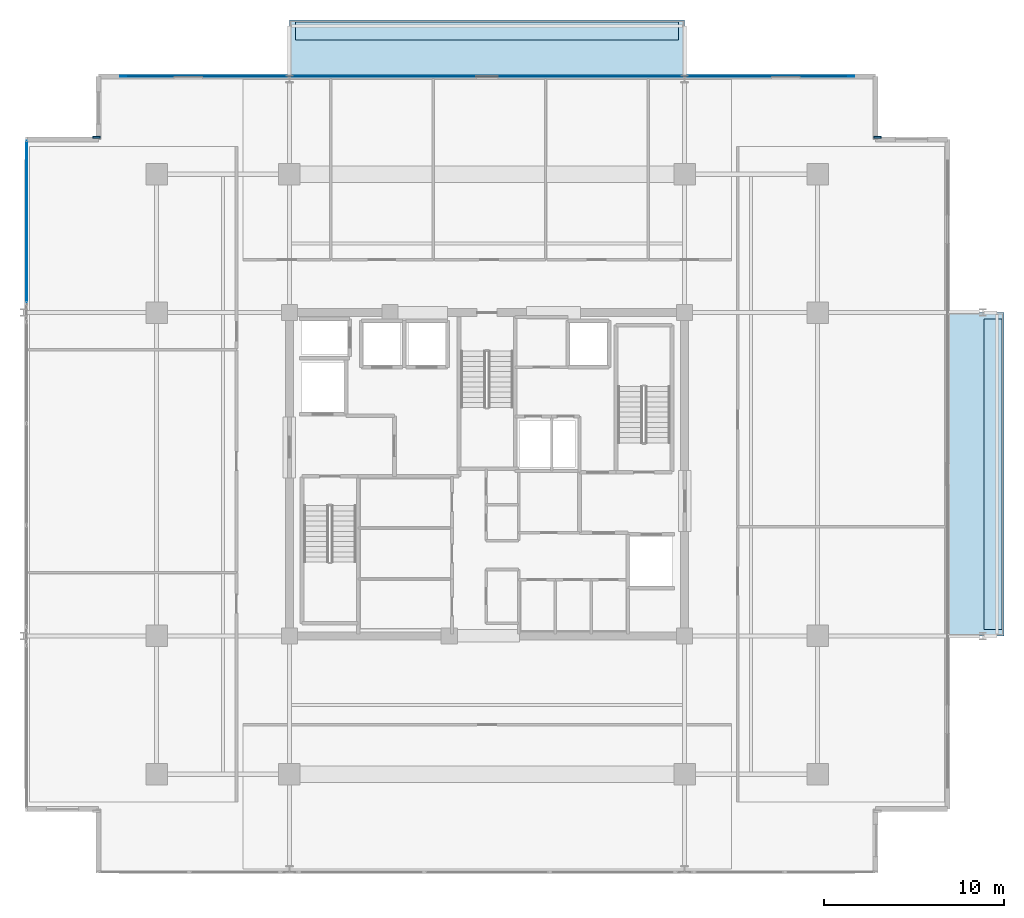
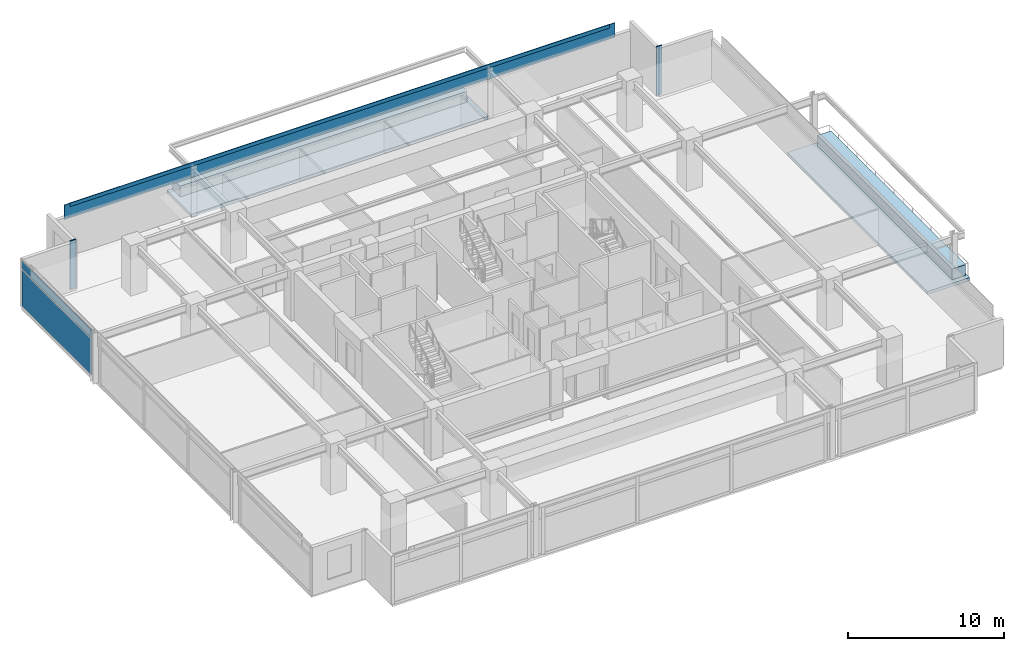
# One storey, part 13 of 21: 6 plates, 4 slabs, 1 element without a shape of its own.
"""IFC4 building model written with IfcOpenShell, lengths in metres."""

from ifc_helpers import new_model, si_unit, direction, frame, origin, origin_2d, place, context, subcontext, project, spatial, polyline, rectangle, outline, extrude, material, layer, layer_set, type_object, element, aggregate, save


model = new_model("IFC4")

# Units and contexts
model_context = context("Model", 3, precision=1e-05, world=origin(), true_north=direction((0.0, 1.0)))
body_context = subcontext(model_context, "Body", "Model", "MODEL_VIEW")
ifc_project = project(units=[si_unit("LENGTHUNIT", "METRE"), si_unit("AREAUNIT", "SQUARE_METRE"), si_unit("VOLUMEUNIT", "CUBIC_METRE"), si_unit("PLANEANGLEUNIT", "RADIAN"), si_unit("MASSUNIT", "GRAM", prefix="KILO")], contexts=[model_context])

# Site, building, storey
site_placement = place(None, origin())
site = spatial("IfcSite", under=ifc_project, at=site_placement, CompositionType="ELEMENT")
building_placement = place(site_placement, origin())
building = spatial("IfcBuilding", under=site, at=building_placement, Name="Kovane Verandah Tower", CompositionType="ELEMENT")
storey_placement = place(building_placement, frame((0.0, 0.0, 283.199951171875)))
storey = spatial("IfcBuildingStorey", under=building, at=storey_placement, Name="L66", CompositionType="ELEMENT", Elevation=283.199951171875)

# Curtain wall, plates
ifc_material_1 = material(Name="Champagne Anodised Aluminium Frame with Low-E Clear Laminated Glass", Category="aluminium")
curtain_wall_type = type_object("IfcCurtainWallType", Name="CW-SYS-05-HIGH", PredefinedType="NOTDEFINED", material=ifc_material_1)
curtain_wall_placement = place(storey_placement, origin())
curtain_wall = element("IfcCurtainWall", 1, at=curtain_wall_placement, inside=storey, type_object=curtain_wall_type, Name="L66 W Unitised Curtain Wall-1", PredefinedType="NOTDEFINED")
ifc_material_2 = material(Name="Pale Champagne Anodised Aluminium Insulated Spandrel", Category="aluminium")
ifc_layer_1 = layer(ifc_material_2, 0.0400390625)
ifc_layer_set_1 = layer_set([ifc_layer_1], Name="Pale Champagne Anodised Aluminium Insulated Spandrel")
plate_type_1 = type_object("IfcPlateType", Name="PL-CW-SPD-40", PredefinedType="SHEET", material=ifc_layer_set_1)
plate_1_placement = place(storey_placement, frame((14.36865234375, 41.580078125, 3.05517578125), z_axis=(0.0, 0.0, 1.0), x_axis=(0.0, -1.0, 0.0)))
plate_1 = element("IfcPlate", 2, at=plate_1_placement, type_object=plate_type_1, Name="L66 W Unitised Curtain Wall-1 Spandrel Panel 1", PredefinedType="SHEET", context=body_context, shape_type="SweptSolid", body=[
    extrude(rectangle(XDim=8.98046875, YDim=0.0400390625, at=origin_2d()), origin(), (0.0, 0.0, 1.0), 0.639892578125),
])
ifc_material_3 = material(Name="Clear Low-E Laminated Double Glazing", Category="glass")
ifc_layer_2 = layer(ifc_material_3, 0.031982421875)
ifc_layer_set_2 = layer_set([ifc_layer_2], Name="Clear Low-E Laminated Double Glazing")
plate_type_2 = type_object("IfcPlateType", Name="PL-CW-VIS-32", PredefinedType="CURTAIN_PANEL", material=ifc_layer_set_2)
plate_2_placement = place(storey_placement, frame((14.36865234375, 41.580078125, 0.10009765625), z_axis=(0.0, 0.0, 1.0), x_axis=(0.0, -1.0, 0.0)))
plate_2 = element("IfcPlate", 3, at=plate_2_placement, type_object=plate_type_2, Name="L66 W Unitised Curtain Wall-1 Vision Panel 1", PredefinedType="CURTAIN_PANEL", context=body_context, shape_type="SweptSolid", body=[
    extrude(rectangle(XDim=8.98046875, YDim=0.031982421875, at=origin_2d()), origin(), (0.0, 0.0, 1.0), 2.85498046875),
])
aggregate(curtain_wall, [plate_2, plate_1])

# Plates
ifc_material_4 = material(Name="Timber-Toned Subtropical Aluminium Vertical Blade", Category="wood")
ifc_layer_3 = layer(ifc_material_4, 0.090087890625)
ifc_layer_set_3 = layer_set([ifc_layer_3], Name="Timber-Toned Subtropical Aluminium Vertical Blade")
plate_type_3 = type_object("IfcPlateType", Name="PL-FIN-90", PredefinedType="USERDEFINED", material=ifc_layer_set_3)
for number, where, z_axis, x_axis, name in (
    (4, (61.751220703125, 46.260498046875, -0.02001953125), (0.0, 0.0, 1.0), (1.0, 0.0, 0.0), "L66 NE Timber-Toned Vertical Corner Fin"),
    (5, (18.248779296875, 46.260498046875, -0.02001953125), (0.0, 0.0, 1.0), (1.0, 0.0, 0.0), "L66 NW Timber-Toned Vertical Corner Fin"),
):
    element("IfcPlate", number, at=place(storey_placement, frame(where, z_axis=z_axis, x_axis=x_axis)), inside=storey, type_object=plate_type_3, Name=name, ObjectType="FIN", PredefinedType="USERDEFINED", context=body_context, shape_type="SweptSolid", body=[
        extrude(rectangle(XDim=0.419921875, YDim=0.090087890625, at=origin_2d()), origin(), (0.0, 0.0, 1.0), 3.844970703125),
    ])
ifc_material_5 = material(Name="Perforated Pale Champagne Anodised Aluminium Solar Screen", Category="aluminium")
ifc_layer_4 = layer(ifc_material_5, 0.050048828125)
ifc_layer_set_4 = layer_set([ifc_layer_4], Name="Perforated Pale Champagne Anodised Aluminium Solar Screen")
plate_type_4 = type_object("IfcPlateType", Name="PL-SCREEN-50", PredefinedType="USERDEFINED", material=ifc_layer_set_4)
plate_3_placement = place(storey_placement, frame((40.0, 49.655517578125, 2.885009765625), z_axis=(0.0, 0.0, 1.0), x_axis=(-1.0, 0.0, 0.0)))
element("IfcPlate", 6, at=plate_3_placement, inside=storey, type_object=plate_type_4, Name="L66 N Perforated Champagne-Gold Solar Screen", ObjectType="SCREEN", PredefinedType="USERDEFINED", context=body_context, shape_type="SweptSolid", body=[
    extrude(rectangle(XDim=40.863037109375, YDim=0.050048828125, at=origin_2d()), origin(), (0.0, 0.0, 1.0), 1.14990234375),
])
ifc_material_6 = material(Name="Extruded Pale-Bronze Aluminium Aerofoil Sunshade", Category="aluminium")
ifc_layer_5 = layer(ifc_material_6, 0.06005859375)
ifc_layer_set_5 = layer_set([ifc_layer_5], Name="Extruded Pale-Bronze Aluminium Aerofoil Sunshade")
plate_type_5 = type_object("IfcPlateType", Name="PL-SUNSHADE-60", PredefinedType="USERDEFINED", material=ifc_layer_set_5)
plate_4_placement = place(storey_placement, frame((40.0, 49.660400390625, 3.76513671875), z_axis=(0.0, 0.0, 1.0), x_axis=(-1.0, 0.0, 0.0)))
element("IfcPlate", 7, at=plate_4_placement, inside=storey, type_object=plate_type_5, Name="L66 N Subtropical Aerofoil Sunshade", ObjectType="SUNSHADE", PredefinedType="USERDEFINED", context=body_context, shape_type="SweptSolid", body=[
    extrude(rectangle(XDim=40.06298828125, YDim=0.06005859375, at=origin_2d()), origin(), (0.0, 0.0, 1.0), 0.280029296875),
])

# Slabs
ifc_material_7 = material(Name="Concrete C45/55", Category="concrete")
ifc_layer_6 = layer(ifc_material_7, 0.239990234375)
ifc_layer_set_6 = layer_set([ifc_layer_6], Name="Concrete C45/55")
slab_type_1 = type_object("IfcSlabType", Name="SL-BALC-240", PredefinedType="FLOOR", material=ifc_layer_set_6)
slab_1_placement = place(storey_placement, frame((0.0, 0.0, -0.239990234375)))
element("IfcSlab", 8, at=slab_1_placement, inside=storey, type_object=slab_type_1, Name="L66 N Planted Verandah Balcony Slab", PredefinedType="FLOOR", context=body_context, shape_type="SweptSolid", body=[
    extrude(outline(polyline([(29.0, 49.640380859375), (51.0, 49.640380859375), (51.0, 52.790283203125), (29.0, 52.790283203125), (29.0, 49.640380859375)])), origin(), (0.0, 0.0, 1.0), 0.239990234375),
])
slab_2_placement = place(storey_placement, frame((0.0, 0.0, -0.239990234375)))
element("IfcSlab", 9, at=slab_2_placement, inside=storey, type_object=slab_type_1, Name="L66 E Planted Verandah Balcony Slab", PredefinedType="FLOOR", context=body_context, shape_type="SweptSolid", body=[
    extrude(outline(polyline([(65.63134765625, 18.5), (68.78125, 18.5), (68.78125, 36.5), (65.63134765625, 36.5), (65.63134765625, 18.5)])), origin(), (0.0, 0.0, 1.0), 0.239990234375),
])
ifc_material_8 = material(Name="Architectural Precast Concrete C45/55 Planter Trough", Category="concrete")
ifc_layer_7 = layer(ifc_material_8, 0.219970703125)
ifc_layer_set_7 = layer_set([ifc_layer_7], Name="Architectural Precast Concrete C45/55 Planter Trough")
slab_type_2 = type_object("IfcSlabType", Name="SL-PLANTER-220", PredefinedType="USERDEFINED", material=ifc_layer_set_7)
slab_3_placement = place(storey_placement, origin())
element("IfcSlab", 10, at=slab_3_placement, inside=storey, type_object=slab_type_2, Name="L66 N Structural Tree Planter", ObjectType="PLANTER", PredefinedType="USERDEFINED", context=body_context, shape_type="SweptSolid", body=[
    extrude(outline(polyline([(29.35009765625, 51.6904296875), (50.64990234375, 51.6904296875), (50.64990234375, 52.6904296875), (29.35009765625, 52.6904296875), (29.35009765625, 51.6904296875)])), origin(), (0.0, 0.0, 1.0), 0.85009765625),
])
slab_4_placement = place(storey_placement, origin())
element("IfcSlab", 11, at=slab_4_placement, inside=storey, type_object=slab_type_2, Name="L66 E Structural Tree Planter", ObjectType="PLANTER", PredefinedType="USERDEFINED", context=body_context, shape_type="SweptSolid", body=[
    extrude(outline(polyline([(67.681396484375, 18.85009765625), (68.681396484375, 18.85009765625), (68.681396484375, 36.14990234375), (67.681396484375, 36.14990234375), (67.681396484375, 18.85009765625)])), origin(), (0.0, 0.0, 1.0), 0.85009765625),
])

save(model, "model.ifc")
